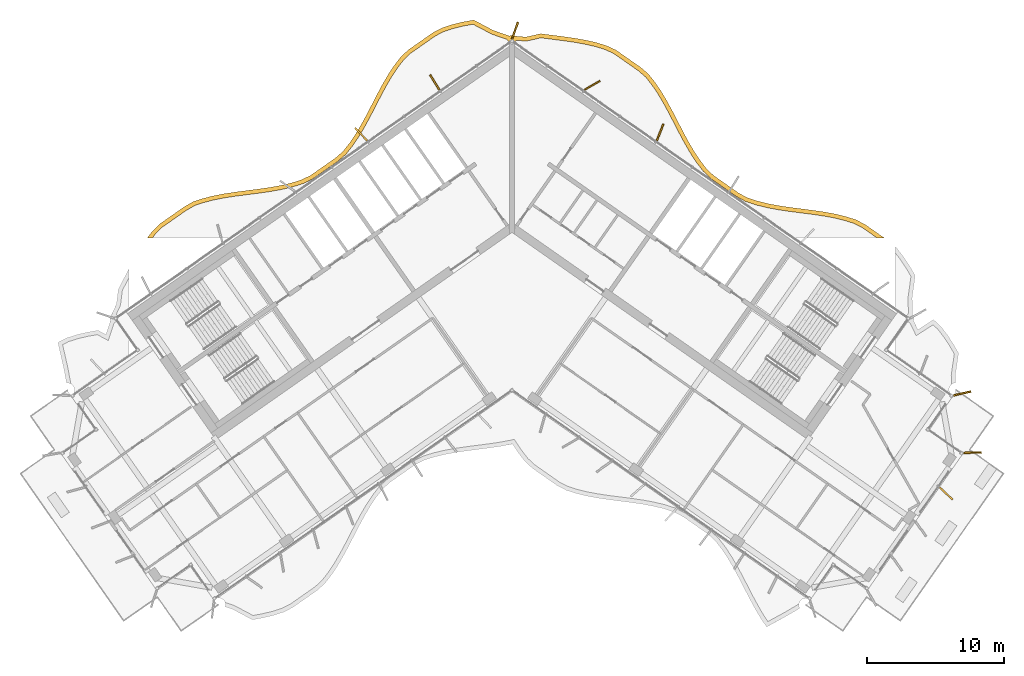
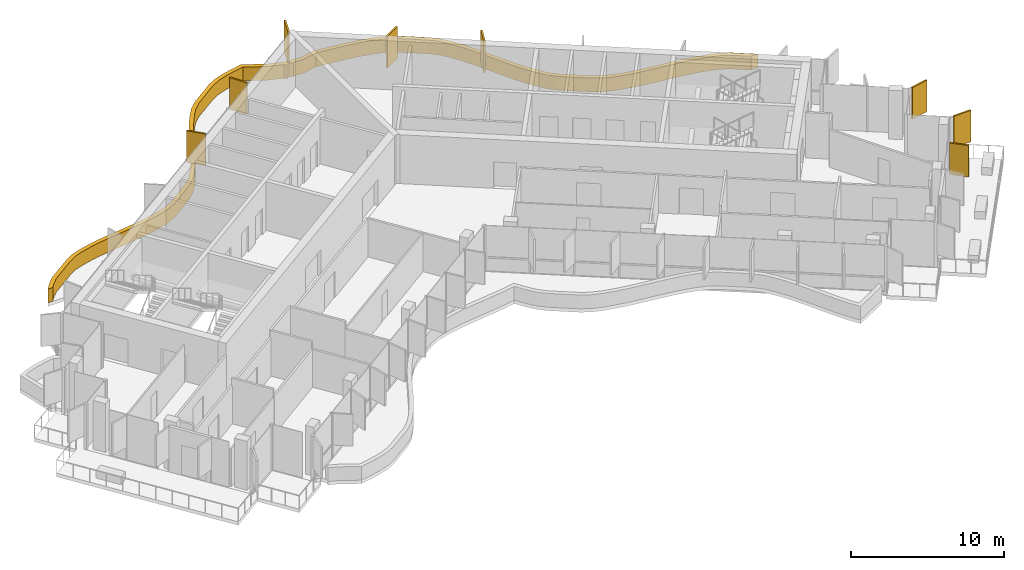
# One storey, part 20 of 21: 9 shading devices.
"""IFC4 building model written with IfcOpenShell, lengths in metres."""

from ifc_helpers import new_model, si_unit, direction, frame, origin, origin_2d, place, context, subcontext, project, spatial, polyline, rectangle, outline, extrude, material, layer, layer_set, type_object, element, save


model = new_model("IFC4")

# Units and contexts
model_context = context("Model", 3, precision=1e-05, world=origin(), true_north=direction((0.0, 1.0)))
body_context = subcontext(model_context, "Body", "Model", "MODEL_VIEW")
ifc_project = project(units=[si_unit("LENGTHUNIT", "METRE"), si_unit("AREAUNIT", "SQUARE_METRE"), si_unit("VOLUMEUNIT", "CUBIC_METRE"), si_unit("PLANEANGLEUNIT", "RADIAN"), si_unit("MASSUNIT", "GRAM", prefix="KILO")], contexts=[model_context])

# Site, building, storey
site_placement = place(None, origin())
site = spatial("IfcSite", under=ifc_project, at=site_placement, CompositionType="ELEMENT")
building_placement = place(site_placement, origin())
building = spatial("IfcBuilding", under=site, at=building_placement, Name="Tel Ilan Convention Tower", CompositionType="ELEMENT")
storey_placement = place(building_placement, frame((0.0, 0.0, 225.39990234375)))
storey = spatial("IfcBuildingStorey", under=building, at=storey_placement, Name="L52", CompositionType="ELEMENT", Elevation=225.39990234375)

# Shading devices
ifc_material_1 = material(Name="Aluminium, bronze anodised", Category="aluminium")
ifc_layer_1 = layer(ifc_material_1, 0.1201171875)
ifc_layer_set_1 = layer_set([ifc_layer_1], Name="FIN BRONZE 1300x120")
shading_device_type_1 = type_object("IfcShadingDeviceType", Name="FIN BRONZE 1300x120", PredefinedType="USERDEFINED", material=ifc_layer_set_1)
for number, where, z_axis, x_axis, name in (
    (1, (31.57080078125, -20.206787109375, 1.10009765625), (0.0, 0.0, 1.0), (0.727373641577, -0.686241637865, 0.0), "FIN"),
    (2, (33.498291015625, -17.2373046875, 1.10009765625), (0.0, 0.0, 1.0), (0.999576950082, 0.029084718749, 0.0), "FIN"),
    (3, (32.740234375, -12.935302734375, 1.10009765625), (0.0, 0.0, 1.0), (0.975235208752, 0.221170268371, 0.0), "FIN"),
    (4, (10.7724609375, 6.062255859375, 1.10009765625), (0.0, 0.0, 1.0), (0.360177724803, 0.932883704733, 0.0), "FIN"),
    (5, (5.842529296875, 9.476806640625, 1.10009765625), (0.0, 0.0, 1.0), (0.866025403784, 0.5, 0.0), "FIN"),
    (6, (0.21630859375, 13.450439453125, 1.10009765625), (0.0, 0.0, 1.0), (0.332892691468, 0.942964716183, 0.0), "FIN"),
    (7, (-5.61328125, 9.683349609375, 1.10009765625), (0.0, 0.0, 1.0), (-0.533204432798, 0.845986425922, 0.0), "FIN"),
    (8, (-10.981201171875, 5.924072265625, 1.10009765625), (0.0, 0.0, 1.0), (-0.686241637865, 0.727373641577, 0.0), "FIN"),
):
    element("IfcShadingDevice", number, at=place(storey_placement, frame(where, z_axis=z_axis, x_axis=x_axis)), inside=storey, type_object=shading_device_type_1, Name=name, ObjectType="FIN", PredefinedType="USERDEFINED", context=body_context, shape_type="SweptSolid", body=[
        extrude(rectangle(XDim=1.300048828125, YDim=0.1201171875, at=origin_2d()), origin(), (0.0, 0.0, 1.0), 2.52001953125),
    ])
ifc_material_2 = material(Name="Aluminium, bronze anodised", Category="aluminium")
ifc_layer_2 = layer(ifc_material_2, 0.300048828125)
ifc_layer_set_2 = layer_set([ifc_layer_2], Name="LOUVRE BAND 300x1100")
shading_device_type_2 = type_object("IfcShadingDeviceType", Name="LOUVRE BAND 300x1100", PredefinedType="USERDEFINED", material=ifc_layer_set_2)
shading_device_placement = place(storey_placement, origin())
element("IfcShadingDevice", 9, at=shading_device_placement, inside=storey, type_object=shading_device_type_2, Name="LOUVRE BAND 41.02", ObjectType="LOUVRE", PredefinedType="USERDEFINED", context=body_context, shape_type="SweptSolid", body=[
    extrude(outline(polyline([(-26.1787109375, -1.1572265625), (-26.535888671875, -1.631591796875), (-26.160400390625, -1.631591796875), (-25.951416015625, -1.35400390625), (-25.457275390625, -0.856689453125), (-23.680908203125, 0.38720703125), (-23.075439453125, 0.7314453125), (-22.38525390625, 0.962158203125), (-21.640625, 1.14990234375), (-20.86181640625, 1.298828125), (-20.0576171875, 1.420166015625), (-18.409423828125, 1.63232421875), (-17.585205078125, 1.750732421875), (-16.773193359375, 1.89599609375), (-15.982666015625, 2.081298828125), (-15.212646484375, 2.320556640625), (-14.499267578125, 2.665771484375), (-12.656005859375, 3.956298828125), (-12.066162109375, 4.474609375), (-11.566650390625, 5.110107421875), (-11.115234375, 5.78173828125), (-10.696044921875, 6.4892578125), (-10.29931640625, 7.220458984375), (-9.535400390625, 8.69873046875), (-9.148681640625, 9.41796875), (-8.746337890625, 10.106201171875), (-8.320556640625, 10.751220703125), (-7.871337890625, 11.33544921875), (-7.3623046875, 11.813720703125), (-5.585693359375, 13.0576171875), (-4.96826171875, 13.382568359375), (-4.27001953125, 13.607666015625), (-3.520751953125, 13.78955078125), (-2.834228515625, 13.914794921875), (-1.477294921875, 13.19677734375), (-0.362060546875, 12.81201171875), (-0.24609375, 12.646728515625), (0.0, 12.818115234375), (0.24609375, 12.646728515625), (0.318603515625, 12.75), (1.040771484375, 12.687744140625), (2.10400390625, 12.9296875), (3.699462890625, 12.72509765625), (4.510009765625, 12.60986328125), (5.2978515625, 12.47119140625), (6.054443359375, 12.297119140625), (6.765625, 12.080078125), (7.40185546875, 11.785888671875), (9.17822265625, 10.5419921875), (9.708740234375, 10.0908203125), (10.16162109375, 9.521240234375), (10.5927734375, 8.885498046875), (10.9990234375, 8.204833984375), (11.38818359375, 7.49072265625), (12.151123046875, 6.014404296875), (12.54443359375, 5.2802734375), (12.958740234375, 4.567138671875), (13.403076171875, 3.8876953125), (13.891357421875, 3.245849609375), (14.459716796875, 2.693359375), (16.302978515625, 1.40283203125), (16.991455078125, 1.02587890625), (17.759521484375, 0.773681640625), (18.544921875, 0.579345703125), (19.353271484375, 0.42724609375), (20.176025390625, 0.3046875), (21.826416015625, 0.092529296875), (22.634765625, -0.025146484375), (23.4189453125, -0.167724609375), (24.1708984375, -0.34716796875), (24.873291015625, -0.569580078125), (25.496826171875, -0.88427734375), (26.56396484375, -1.631591796875), (27.087158203125, -1.631591796875), (25.6513671875, -0.626220703125), (24.987060546875, -0.290771484375), (24.2509765625, -0.057861328125), (23.480712890625, 0.1259765625), (22.68310546875, 0.27099609375), (21.8671875, 0.3896484375), (20.21728515625, 0.601806640625), (19.4033203125, 0.72314453125), (18.60888671875, 0.87255859375), (17.842529296875, 1.062255859375), (17.111328125, 1.30224609375), (16.46142578125, 1.657958984375), (14.6513671875, 2.92529296875), (14.116455078125, 3.4453125), (13.648193359375, 4.060791015625), (13.214111328125, 4.724609375), (12.806396484375, 5.426513671875), (12.416748046875, 6.154052734375), (11.653076171875, 7.631591796875), (11.259521484375, 8.353515625), (10.845947265625, 9.046875), (10.403564453125, 9.69921875), (9.925537109375, 10.300537109375), (9.36181640625, 10.77978515625), (7.552001953125, 12.047119140625), (6.872802734375, 12.361083984375), (6.132080078125, 12.587158203125), (5.357666015625, 12.765380859375), (4.55712890625, 12.90625), (3.739501953125, 13.0224609375), (2.08935546875, 13.234130859375), (1.02001953125, 12.99072265625), (0.168701171875, 13.059326171875), (0.11474609375, 13.09521484375), (0.0, 13.1181640625), (-0.11474609375, 13.09521484375), (-0.168701171875, 13.059326171875), (-1.357666015625, 13.472900390625), (-2.785888671875, 14.228515625), (-3.5830078125, 14.083251953125), (-4.3515625, 13.896484375), (-5.0849609375, 13.66015625), (-5.7421875, 13.314453125), (-7.552001953125, 12.047119140625), (-8.09423828125, 11.53759765625), (-8.56494140625, 10.925537109375), (-9.001220703125, 10.264404296875), (-9.410400390625, 9.564697265625), (-9.801025390625, 8.838623046875), (-10.564453125, 7.36083984375), (-10.95703125, 6.63720703125), (-11.369140625, 5.94189453125), (-11.809326171875, 5.28662109375), (-12.284912109375, 4.681640625), (-12.841552734375, 4.192626953125), (-14.6513671875, 2.92529296875), (-15.3232421875, 2.6005859375), (-16.0615234375, 2.370849609375), (-16.833984375, 2.18994140625), (-17.6328125, 2.046875), (-18.44970703125, 1.9296875), (-20.099365234375, 1.71728515625), (-20.91259765625, 1.594482421875), (-21.705322265625, 1.44287109375), (-22.4697265625, 1.250244140625), (-23.1982421875, 1.0068359375), (-23.84130859375, 0.64111328125), (-25.6513671875, -0.626220703125), (-26.1787109375, -1.1572265625)])), origin(), (0.0, 0.0, 1.0), 1.10009765625),
])

save(model, "model.ifc")
